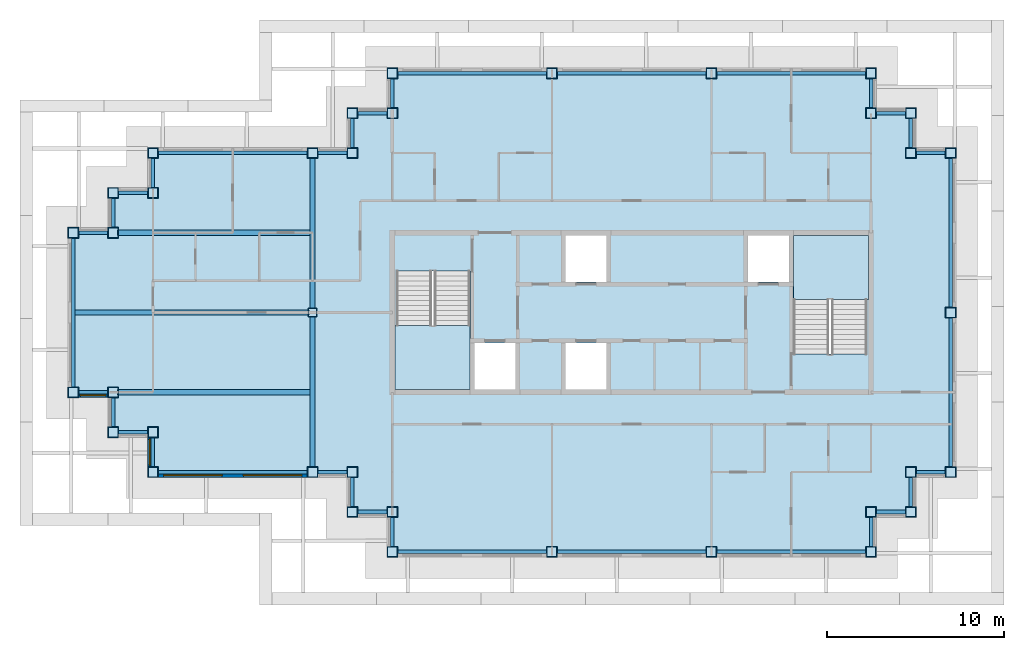
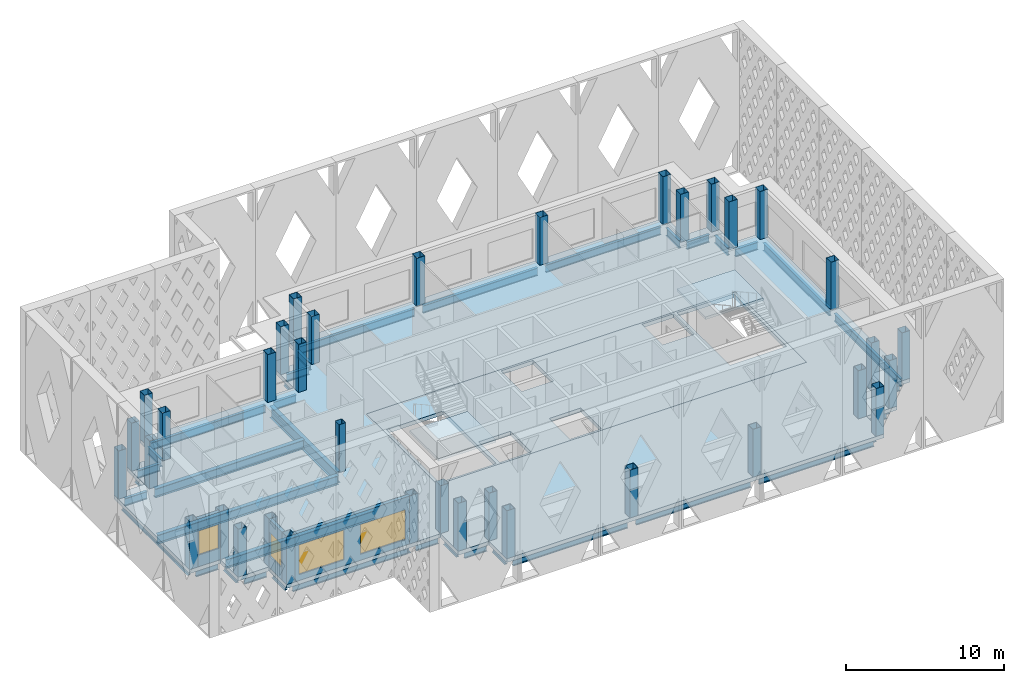
# One storey, part 1 of 13: 40 beams, 36 columns, 4 slabs, 4 windows, 3 walls, 4 openings, 2 elements without a shape of their own.
"""IFC4 building model written with IfcOpenShell, lengths in metres."""

import ifcopenshell
import ifcopenshell.guid

model = None  # the IFC model being written
_history = None  # IfcOwnerHistory: only IFC2X3 demands one
_inside = {}  # id of a spatial element -> (the spatial element, [elements in it])
_under = {}  # id of a project, library or spatial element -> (it, [spatial elements below it])
_declared = {}  # id of a project -> (the project, [libraries it declares])
_typed = {}  # id of a type object -> (the type object, [elements of that type])
_made_of = {}  # id of a material, layer set ... -> (it, [elements and type objects made of it])


def new_model(schema):
    """Start an empty IFC model of exactly this schema.

    Asked for "IFC4X3", IfcOpenShell would pick the latest addendum, in which some entities
    have other attributes; the version numbers below select the first issue.
    IFC2X3 requires an IfcOwnerHistory on every rooted entity: one is made here for all.
    """
    global model, _history
    if schema == "IFC4X3":
        model = ifcopenshell.file(schema_version=(4, 3, 0, 0))
    else:
        model = ifcopenshell.file(schema=schema)
    _inside.clear()
    _under.clear()
    _declared.clear()
    _typed.clear()
    _made_of.clear()
    _history = None
    if model.schema == "IFC2X3":
        org = make("IfcOrganization", Name="unknown")
        user = make(
            "IfcPersonAndOrganization",
            ThePerson=make("IfcPerson", FamilyName="unknown"),
            TheOrganization=org,
        )
        app = make(
            "IfcApplication",
            ApplicationDeveloper=org,
            Version="unknown",
            ApplicationFullName="unknown",
            ApplicationIdentifier="unknown",
        )
        _history = make(
            "IfcOwnerHistory",
            OwningUser=user,
            OwningApplication=app,
            ChangeAction="ADDED",
            CreationDate=0,
        )
    return model


def make(cls, **values):
    """One entity of the class cls with the attributes given. An attribute that is None is left unset."""
    return model.create_entity(
        cls, **{name: value for name, value in values.items() if value is not None}
    )


def rooted(cls, **values):
    """An entity with a GlobalId (a new one), such as an element, a storey or a relation."""
    return make(cls, GlobalId=ifcopenshell.guid.new(), OwnerHistory=_history, **values)


def si_unit(unit_type, name, prefix=None):
    """IfcSIUnit, for example si_unit("LENGTHUNIT", "METRE", prefix="MILLI")."""
    return make("IfcSIUnit", UnitType=unit_type, Prefix=prefix, Name=name)


def assignment(units):
    """IfcUnitAssignment: the units of a project."""
    return None if units is None else make("IfcUnitAssignment", Units=units)


def point(xyz):
    """IfcCartesianPoint."""
    return None if xyz is None else make("IfcCartesianPoint", Coordinates=xyz)


def direction(xyz):
    """IfcDirection."""
    return None if xyz is None else make("IfcDirection", DirectionRatios=xyz)


def frame(location, z_axis=None, x_axis=None):
    """IfcAxis2Placement3D, a coordinate frame: its origin and axes. An axis left out is left unset."""
    return make(
        "IfcAxis2Placement3D",
        Location=point(location),
        Axis=direction(z_axis),
        RefDirection=direction(x_axis),
    )


def frame_2d(location, x_axis=None):
    """IfcAxis2Placement2D, a coordinate frame in the plane: its origin and x axis."""
    return make(
        "IfcAxis2Placement2D", Location=point(location), RefDirection=direction(x_axis)
    )


def origin():
    """The frame at (0, 0, 0) with its axes left unset."""
    return frame((0.0, 0.0, 0.0))


def origin_2d():
    """The frame at (0, 0) in the plane with its x axis left unset."""
    return frame_2d((0.0, 0.0))


def place(relative_to, where):
    """IfcLocalPlacement: puts the frame where relative to a parent placement (None: the world)."""
    return make(
        "IfcLocalPlacement", PlacementRelTo=relative_to, RelativePlacement=where
    )


def context(
    kind, dimensions, precision=None, world=None, true_north=None, identifier=None
):
    """IfcGeometricRepresentationContext, for example the 3D "Model" context."""
    return make(
        "IfcGeometricRepresentationContext",
        ContextIdentifier=identifier,
        ContextType=kind,
        CoordinateSpaceDimension=dimensions,
        Precision=precision,
        WorldCoordinateSystem=world,
        TrueNorth=true_north,
    )


def subcontext(parent, identifier, kind, view, scale=None):
    """IfcGeometricRepresentationSubContext, for example "Body" below "Model"."""
    return make(
        "IfcGeometricRepresentationSubContext",
        ContextIdentifier=identifier,
        ContextType=kind,
        ParentContext=parent,
        TargetScale=scale,
        TargetView=view,
    )


def project(units=None, contexts=None):
    """IfcProject with its units and contexts."""
    return rooted(
        "IfcProject",
        Name="project",
        RepresentationContexts=contexts,
        UnitsInContext=assignment(units),
    )


def spatial(cls, under=None, at=None, **own):
    """A site, building, storey or space (cls), placed at a placement, below another one or the project."""
    s = rooted(cls, ObjectPlacement=at, **own)
    if under is not None:
        _under.setdefault(under.id(), (under, []))[1].append(s)
    return s


def polyline(points):
    """IfcPolyline through the points."""
    return make("IfcPolyline", Points=[point(p) for p in points])


def profile(cls, at=None, kind="AREA", **sizes):
    """A parametric profile (cls). Its sizes go by their IFC names, for example OverallWidth=200.0."""
    return make(cls, ProfileType=kind, Position=at, **sizes)


def rectangle(**sizes):
    """IfcRectangleProfileDef."""
    return profile("IfcRectangleProfileDef", **sizes)


def hollow_rectangle(**sizes):
    """IfcRectangleHollowProfileDef."""
    return profile("IfcRectangleHollowProfileDef", **sizes)


def i_section(**sizes):
    """IfcIShapeProfileDef."""
    return profile("IfcIShapeProfileDef", **sizes)


def outline(outer, holes=None, kind="AREA"):
    """IfcArbitraryClosedProfileDef: a profile drawn as a closed curve; with holes, ...WithVoids."""
    if holes is None:
        return make("IfcArbitraryClosedProfileDef", ProfileType=kind, OuterCurve=outer)
    return make(
        "IfcArbitraryProfileDefWithVoids",
        ProfileType=kind,
        OuterCurve=outer,
        InnerCurves=holes,
    )


def extrude(swept, where, along, depth):
    """IfcExtrudedAreaSolid: the profile swept, set in the frame where, extruded along a direction by depth."""
    return make(
        "IfcExtrudedAreaSolid",
        SweptArea=swept,
        Position=where,
        ExtrudedDirection=direction(along),
        Depth=depth,
    )


def shape(context_of_items, identifier, shape_type, items):
    """IfcShapeRepresentation: the items that make up one representation, for example the "Body"."""
    return make(
        "IfcShapeRepresentation",
        ContextOfItems=context_of_items,
        RepresentationIdentifier=identifier,
        RepresentationType=shape_type,
        Items=items,
    )


def material(Name=None, Category=None):
    """IfcMaterial."""
    return make("IfcMaterial", Name=Name, Category=Category)


def layer(
    of_material, thickness, ventilated=None, Name=None, Category=None, Priority=None
):
    """IfcMaterialLayer: one layer of a wall or slab, of a material (None: an air gap)."""
    return make(
        "IfcMaterialLayer",
        Material=of_material,
        LayerThickness=thickness,
        IsVentilated=ventilated,
        Name=Name,
        Category=Category,
        Priority=Priority,
    )


def layer_set(layers, Name=None):
    """IfcMaterialLayerSet."""
    return make("IfcMaterialLayerSet", MaterialLayers=layers, LayerSetName=Name)


def material_profile(
    of_material, cross_section, Name=None, Category=None, Priority=None
):
    """IfcMaterialProfile: a cross section and its material."""
    return make(
        "IfcMaterialProfile",
        Name=Name,
        Material=of_material,
        Profile=cross_section,
        Priority=Priority,
        Category=Category,
    )


def profile_set(profiles, Name=None, composite=None):
    """IfcMaterialProfileSet."""
    return make(
        "IfcMaterialProfileSet",
        Name=Name,
        MaterialProfiles=profiles,
        CompositeProfile=composite,
    )


def made_of(thing, what):
    """Note that an element or type object is made of a material, layer set ...; save() writes the relation."""
    if what is not None:
        _made_of.setdefault(what.id(), (what, []))[1].append(thing)
    return thing


def type_object(cls, material=None, **own):
    """A type object (cls), such as IfcWallType, which elements share."""
    return made_of(rooted(cls, **own), material)


def element(
    cls,
    number,
    at=None,
    inside=None,
    cuts=None,
    type_object=None,
    material=None,
    context=None,
    identifier="Body",
    shape_type=None,
    held_by="IfcProductDefinitionShape",
    body=None,
    shapes=None,
    **own,
):
    """One element of the class cls, such as IfcWall. Its Tag is "e" and its number.

    at: its placement. inside: the storey or other place that contains it. cuts: it is an
    opening in that element (IfcRelVoidsElement). A single representation is given by context,
    identifier, shape_type and body (its items); several are given by shapes. held_by: the class
    of the entity that holds the representations. save() writes the other relations.
    """
    e = rooted(cls, Tag="e%d" % number, ObjectPlacement=at, **own)
    if body is not None:
        shapes = [shape(context, identifier, shape_type, body)]
    if shapes is not None:
        e.Representation = make(held_by, Representations=shapes)
    if inside is not None:
        _inside.setdefault(inside.id(), (inside, []))[1].append(e)
    if cuts is not None:
        rooted(
            "IfcRelVoidsElement", RelatingBuildingElement=cuts, RelatedOpeningElement=e
        )
    if type_object is not None:
        _typed.setdefault(type_object.id(), (type_object, []))[1].append(e)
    return made_of(e, material)


def fill(opening, filler):
    """IfcRelFillsElement: the door or window that sits in an opening."""
    return rooted(
        "IfcRelFillsElement",
        RelatingOpeningElement=opening,
        RelatedBuildingElement=filler,
    )


def aggregate(whole, parts):
    """IfcRelAggregates: a whole, such as a stair, and the parts it consists of."""
    return rooted("IfcRelAggregates", RelatingObject=whole, RelatedObjects=parts)


def save(model, path):
    """Write the relations noted so far, then the file.

    IfcRelAggregates (storeys below a building ...), IfcRelContainedInSpatialStructure (elements
    in a storey), IfcRelDefinesByType, IfcRelAssociatesMaterial and IfcRelDeclares: one each for
    every whole, place, type object, material and project.
    """
    for whole, parts in _under.values():
        aggregate(whole, parts)
    for where, things in _inside.values():
        rooted(
            "IfcRelContainedInSpatialStructure",
            RelatedElements=things,
            RelatingStructure=where,
        )
    for kind, things in _typed.values():
        rooted("IfcRelDefinesByType", RelatedObjects=things, RelatingType=kind)
    for what, things in _made_of.values():
        rooted("IfcRelAssociatesMaterial", RelatedObjects=things, RelatingMaterial=what)
    for by, libraries in _declared.values():
        rooted("IfcRelDeclares", RelatingContext=by, RelatedDefinitions=libraries)
    model.write(path)


model = new_model("IFC4")

# Units and contexts
model_context = context("Model", 3, precision=1e-05, world=origin(), true_north=direction((0.0, 1.0)))
body_context = subcontext(model_context, "Body", "Model", "MODEL_VIEW")
ifc_project = project(units=[si_unit("LENGTHUNIT", "METRE"), si_unit("AREAUNIT", "SQUARE_METRE"), si_unit("VOLUMEUNIT", "CUBIC_METRE"), si_unit("PLANEANGLEUNIT", "RADIAN"), si_unit("MASSUNIT", "GRAM", prefix="KILO")], contexts=[model_context])

# Site, building, storey
site_placement = place(None, origin())
site = spatial("IfcSite", under=ifc_project, at=site_placement, CompositionType="ELEMENT")
building_placement = place(site_placement, origin())
building = spatial("IfcBuilding", under=site, at=building_placement, Name="Caravel Reach Hotel and Residences", CompositionType="ELEMENT")
storey_placement = place(building_placement, frame((0.0, 0.0, 267.5)))
storey = spatial("IfcBuildingStorey", under=building, at=storey_placement, Name="L68", CompositionType="ELEMENT", Elevation=267.5)

# Columns
ifc_material_1 = material(Name="Concrete-filled steel tube Q390B with Concrete C60 infill", Category="concrete")
ifc_material_profile_1 = material_profile(ifc_material_1, hollow_rectangle(XDim=0.5, YDim=0.5, WallThickness=0.01611328125, InnerFilletRadius=0.031982421875, OuterFilletRadius=0.048095703125, at=origin_2d()), Name="RHS 500x500x16")
ifc_profile_set_1 = profile_set([ifc_material_profile_1], Name="Concrete-filled steel tube Q390B with Concrete C60 infill")
column_type_1 = type_object("IfcColumnType", Name="CFT 500x500 Q390B C60", PredefinedType="COLUMN", material=ifc_profile_set_1)
column_placement = place(storey_placement, frame((13.5, 27.0, 0.0), z_axis=(0.0, 0.0, 1.0), x_axis=(1.0, 0.0, 0.0)))
element("IfcColumn", 1, at=column_placement, inside=storey, type_object=column_type_1, Name="C9 column", PredefinedType="COLUMN", context=body_context, shape_type="SweptSolid", body=[
    extrude(hollow_rectangle(XDim=0.5, YDim=0.5, WallThickness=0.01611328125, InnerFilletRadius=0.031982421875, OuterFilletRadius=0.048095703125, at=origin_2d()), origin(), (0.0, 0.0, 1.0), 3.699951171875),
])
ifc_material_2 = material(Name="Concrete-filled steel tube Q390B with Concrete C60 infill", Category="concrete")
ifc_material_profile_2 = material_profile(ifc_material_2, hollow_rectangle(XDim=0.60009765625, YDim=0.60009765625, WallThickness=0.02001953125, at=origin_2d()), Name="RHS 600x600x20")
ifc_profile_set_2 = profile_set([ifc_material_profile_2], Name="Concrete-filled steel tube Q390B with Concrete C60 infill")
column_type_2 = type_object("IfcColumnType", Name="CFT 600x600 Q390B C60", PredefinedType="COLUMN", material=ifc_profile_set_2)
for number, where, z_axis, x_axis, name in (
    (2, (15.75, 18.0, 0.0), (0.0, 0.0, 1.0), (1.0, 0.0, 0.0), "C8 column"),
    (3, (15.75, 15.75, 0.0), (0.0, 0.0, 1.0), (1.0, 0.0, 0.0), "C8 column"),
    (4, (18.0, 15.75, 0.0), (0.0, 0.0, 1.0), (1.0, 0.0, 0.0), "C8 column"),
    (5, (18.0, 13.5, 0.0), (0.0, 0.0, 1.0), (1.0, 0.0, 0.0), "C8 column"),
    (6, (27.0, 13.5, 0.0), (0.0, 0.0, 1.0), (1.0, 0.0, 0.0), "C8 column"),
    (7, (36.0, 13.5, 0.0), (0.0, 0.0, 1.0), (1.0, 0.0, 0.0), "C8 column"),
    (8, (45.0, 13.5, 0.0), (0.0, 0.0, 1.0), (1.0, 0.0, 0.0), "C8 column"),
    (9, (45.0, 15.75, 0.0), (0.0, 0.0, 1.0), (1.0, 0.0, 0.0), "C8 column"),
    (10, (47.25, 15.75, 0.0), (0.0, 0.0, 1.0), (1.0, 0.0, 0.0), "C8 column"),
    (11, (47.25, 18.0, 0.0), (0.0, 0.0, 1.0), (1.0, 0.0, 0.0), "C8 column"),
    (12, (49.5, 18.0, 0.0), (0.0, 0.0, 1.0), (1.0, 0.0, 0.0), "C8 column"),
    (13, (49.5, 27.0, 0.0), (0.0, 0.0, 1.0), (1.0, 0.0, 0.0), "C8 column"),
    (14, (49.5, 36.0, 0.0), (0.0, 0.0, 1.0), (1.0, 0.0, 0.0), "C8 column"),
    (15, (47.25, 36.0, 0.0), (0.0, 0.0, 1.0), (1.0, 0.0, 0.0), "C8 column"),
    (16, (47.25, 38.25, 0.0), (0.0, 0.0, 1.0), (1.0, 0.0, 0.0), "C8 column"),
    (17, (45.0, 38.25, 0.0), (0.0, 0.0, 1.0), (1.0, 0.0, 0.0), "C8 column"),
    (18, (45.0, 40.5, 0.0), (0.0, 0.0, 1.0), (1.0, 0.0, 0.0), "C8 column"),
    (19, (36.0, 40.5, 0.0), (0.0, 0.0, 1.0), (1.0, 0.0, 0.0), "C8 column"),
    (20, (27.0, 40.5, 0.0), (0.0, 0.0, 1.0), (1.0, 0.0, 0.0), "C8 column"),
    (21, (18.0, 40.5, 0.0), (0.0, 0.0, 1.0), (1.0, 0.0, 0.0), "C8 column"),
    (22, (18.0, 38.25, 0.0), (0.0, 0.0, 1.0), (1.0, 0.0, 0.0), "C8 column"),
    (23, (15.75, 38.25, 0.0), (0.0, 0.0, 1.0), (1.0, 0.0, 0.0), "C8 column"),
    (24, (15.75, 36.0, 0.0), (0.0, 0.0, 1.0), (1.0, 0.0, 0.0), "C8 column"),
    (25, (13.5, 36.0, 0.0), (0.0, 0.0, 1.0), (1.0, 0.0, 0.0), "C8 column"),
    (26, (4.5, 36.0, 0.0), (0.0, 0.0, 1.0), (1.0, 0.0, 0.0), "C8 column"),
    (27, (4.5, 33.75, 0.0), (0.0, 0.0, 1.0), (1.0, 0.0, 0.0), "C8 column"),
    (28, (2.25, 33.75, 0.0), (0.0, 0.0, 1.0), (1.0, 0.0, 0.0), "C8 column"),
    (29, (2.25, 31.5, 0.0), (0.0, 0.0, 1.0), (1.0, 0.0, 0.0), "C8 column"),
    (30, (0.0, 31.5, 0.0), (0.0, 0.0, 1.0), (1.0, 0.0, 0.0), "C8 column"),
    (31, (0.0, 22.5, 0.0), (0.0, 0.0, 1.0), (1.0, 0.0, 0.0), "C8 column"),
    (32, (2.25, 22.5, 0.0), (0.0, 0.0, 1.0), (1.0, 0.0, 0.0), "C8 column"),
    (33, (2.25, 20.25, 0.0), (0.0, 0.0, 1.0), (1.0, 0.0, 0.0), "C8 column"),
    (34, (4.5, 20.25, 0.0), (0.0, 0.0, 1.0), (1.0, 0.0, 0.0), "C8 column"),
    (35, (4.5, 18.0, 0.0), (0.0, 0.0, 1.0), (1.0, 0.0, 0.0), "C8 column"),
    (36, (13.5, 18.0, 0.0), (0.0, 0.0, 1.0), (1.0, 0.0, 0.0), "C8 column"),
):
    element("IfcColumn", number, at=place(storey_placement, frame(where, z_axis=z_axis, x_axis=x_axis)), inside=storey, type_object=column_type_2, Name=name, PredefinedType="COLUMN", context=body_context, shape_type="SweptSolid", body=[
        extrude(hollow_rectangle(XDim=0.60009765625, YDim=0.60009765625, WallThickness=0.02001953125, at=origin_2d()), origin(), (0.0, 0.0, 1.0), 3.699951171875),
    ])

# Beams
ifc_material_3 = material(Name="Structural steel Q355B", Category="steel")
ifc_material_profile_3 = material_profile(ifc_material_3, i_section(OverallWidth=0.300048828125, OverallDepth=0.699951171875, WebThickness=0.012939453125, FlangeThickness=0.02392578125, FilletRadius=0.01806640625, at=origin_2d()), Name="HN 700x300x13x24")
ifc_profile_set_3 = profile_set([ifc_material_profile_3], Name="Structural steel Q355B")
beam_type_1 = type_object("IfcBeamType", Name="Beam HN 700x300x13x24", PredefinedType="BEAM", material=ifc_profile_set_3)
beam_1_placement = place(storey_placement, frame((13.39990234375, 22.5, -0.64990234375), z_axis=(-1.0, 0.0, 0.0), x_axis=(0.0, -1.0, 0.0)))
element("IfcBeam", 37, at=beam_1_placement, inside=storey, type_object=beam_type_1, Name="B2 HN 700x300x13x24", PredefinedType="BEAM", context=body_context, shape_type="SweptSolid", body=[
    extrude(i_section(OverallWidth=0.300048828125, OverallDepth=0.699951171875, WebThickness=0.012939453125, FlangeThickness=0.02392578125, FilletRadius=0.01806640625, at=origin_2d()), origin(), (0.0, 0.0, 1.0), 10.89990234375),
])
beam_2_placement = place(storey_placement, frame((13.300048828125, 27.0, -0.64990234375), z_axis=(-1.0, 0.0, 0.0), x_axis=(0.0, -1.0, 0.0)))
element("IfcBeam", 38, at=beam_2_placement, inside=storey, type_object=beam_type_1, Name="B2 HN 700x300x13x24", PredefinedType="BEAM", context=body_context, shape_type="SweptSolid", body=[
    extrude(i_section(OverallWidth=0.300048828125, OverallDepth=0.699951171875, WebThickness=0.012939453125, FlangeThickness=0.02392578125, FilletRadius=0.01806640625, at=origin_2d()), origin(), (0.0, 0.0, 1.0), 13.199951171875),
])
beam_3_placement = place(storey_placement, frame((13.39990234375, 31.5, -0.64990234375), z_axis=(-1.0, 0.0, 0.0), x_axis=(0.0, -1.0, 0.0)))
element("IfcBeam", 39, at=beam_3_placement, inside=storey, type_object=beam_type_1, Name="B2 HN 700x300x13x24", PredefinedType="BEAM", context=body_context, shape_type="SweptSolid", body=[
    extrude(i_section(OverallWidth=0.300048828125, OverallDepth=0.699951171875, WebThickness=0.012939453125, FlangeThickness=0.02392578125, FilletRadius=0.01806640625, at=origin_2d()), origin(), (0.0, 0.0, 1.0), 10.89990234375),
])
ifc_material_4 = material(Name="Structural steel Q355B", Category="steel")
ifc_material_profile_4 = material_profile(ifc_material_4, i_section(OverallWidth=0.300048828125, OverallDepth=0.89990234375, WebThickness=0.01611328125, FlangeThickness=0.028076171875, FilletRadius=0.01806640625, at=origin_2d()), Name="HN 900x300x16x28")
ifc_profile_set_4 = profile_set([ifc_material_profile_4], Name="Structural steel Q355B")
beam_type_2 = type_object("IfcBeamType", Name="Beam HN 900x300x16x28", PredefinedType="BEAM", material=ifc_profile_set_4)
for number, where, z_axis, x_axis, name in (
    (40, (13.5, 18.300048828125, -0.75), (0.0, 1.0, 0.0), (-1.0, 0.0, 0.0), "B3 HN 900x300x16x28"),
    (41, (13.5, 27.25, -0.75), (0.0, 1.0, 0.0), (-1.0, 0.0, 0.0), "B3 HN 900x300x16x28"),
):
    element("IfcBeam", number, at=place(storey_placement, frame(where, z_axis=z_axis, x_axis=x_axis)), inside=storey, type_object=beam_type_2, Name=name, PredefinedType="BEAM", context=body_context, shape_type="SweptSolid", body=[
        extrude(i_section(OverallWidth=0.300048828125, OverallDepth=0.89990234375, WebThickness=0.01611328125, FlangeThickness=0.028076171875, FilletRadius=0.01806640625, at=origin_2d()), origin(), (0.0, 0.0, 1.0), 8.449951171875),
    ])
ifc_material_5 = material(Name="Structural steel Q355B", Category="steel")
ifc_material_profile_5 = material_profile(ifc_material_5, i_section(OverallWidth=0.199951171875, OverallDepth=0.60009765625, WebThickness=0.010986328125, FlangeThickness=0.01708984375, FilletRadius=0.012939453125, at=origin_2d()), Name="HN 600x200x11x17")
ifc_profile_set_5 = profile_set([ifc_material_profile_5], Name="Structural steel Q355B")
beam_type_3 = type_object("IfcBeamType", Name="Spandrel beam HN 600x200x11x17", PredefinedType="SPANDREL", material=ifc_profile_set_5)
for number, where, z_axis, x_axis, name in (
    (42, (15.75, 17.699951171875, -0.60009765625), (0.0, -1.0, 0.0), (1.0, 0.0, 0.0), "SP1 HN 600x200x11x17"),
    (43, (16.050048828125, 15.75, -0.60009765625), (1.0, 0.0, 0.0), (0.0, 1.0, 0.0), "SP1 HN 600x200x11x17"),
    (44, (18.0, 15.449951171875, -0.60009765625), (0.0, -1.0, 0.0), (1.0, 0.0, 0.0), "SP1 HN 600x200x11x17"),
):
    element("IfcBeam", number, at=place(storey_placement, frame(where, z_axis=z_axis, x_axis=x_axis)), inside=storey, type_object=beam_type_3, Name=name, PredefinedType="SPANDREL", context=body_context, shape_type="SweptSolid", body=[
        extrude(i_section(OverallWidth=0.199951171875, OverallDepth=0.60009765625, WebThickness=0.010986328125, FlangeThickness=0.01708984375, FilletRadius=0.012939453125, at=origin_2d()), origin(), (0.0, 0.0, 1.0), 1.64990234375),
    ])
for number, where, z_axis, x_axis, name in (
    (45, (18.300048828125, 13.5, -0.60009765625), (1.0, 0.0, 0.0), (0.0, 1.0, 0.0), "SP1 HN 600x200x11x17"),
    (46, (27.300048828125, 13.5, -0.60009765625), (1.0, 0.0, 0.0), (0.0, 1.0, 0.0), "SP1 HN 600x200x11x17"),
    (47, (36.300048828125, 13.5, -0.60009765625), (1.0, 0.0, 0.0), (0.0, 1.0, 0.0), "SP1 HN 600x200x11x17"),
):
    element("IfcBeam", number, at=place(storey_placement, frame(where, z_axis=z_axis, x_axis=x_axis)), inside=storey, type_object=beam_type_3, Name=name, PredefinedType="SPANDREL", context=body_context, shape_type="SweptSolid", body=[
        extrude(i_section(OverallWidth=0.199951171875, OverallDepth=0.60009765625, WebThickness=0.010986328125, FlangeThickness=0.01708984375, FilletRadius=0.012939453125, at=origin_2d()), origin(), (0.0, 0.0, 1.0), 8.39990234375),
    ])
for number, where, z_axis, x_axis, name in (
    (48, (45.0, 13.800048828125, -0.60009765625), (0.0, 1.0, 0.0), (-1.0, 0.0, 0.0), "SP1 HN 600x200x11x17"),
    (49, (45.300048828125, 15.75, -0.60009765625), (1.0, 0.0, 0.0), (0.0, 1.0, 0.0), "SP1 HN 600x200x11x17"),
    (50, (47.25, 16.050048828125, -0.60009765625), (0.0, 1.0, 0.0), (-1.0, 0.0, 0.0), "SP1 HN 600x200x11x17"),
    (51, (47.550048828125, 18.0, -0.60009765625), (1.0, 0.0, 0.0), (0.0, 1.0, 0.0), "SP1 HN 600x200x11x17"),
):
    element("IfcBeam", number, at=place(storey_placement, frame(where, z_axis=z_axis, x_axis=x_axis)), inside=storey, type_object=beam_type_3, Name=name, PredefinedType="SPANDREL", context=body_context, shape_type="SweptSolid", body=[
        extrude(i_section(OverallWidth=0.199951171875, OverallDepth=0.60009765625, WebThickness=0.010986328125, FlangeThickness=0.01708984375, FilletRadius=0.012939453125, at=origin_2d()), origin(), (0.0, 0.0, 1.0), 1.64990234375),
    ])
for number, where, z_axis, x_axis, name in (
    (52, (49.5, 18.300048828125, -0.60009765625), (0.0, 1.0, 0.0), (-1.0, 0.0, 0.0), "SP1 HN 600x200x11x17"),
    (53, (49.5, 27.300048828125, -0.60009765625), (0.0, 1.0, 0.0), (-1.0, 0.0, 0.0), "SP1 HN 600x200x11x17"),
):
    element("IfcBeam", number, at=place(storey_placement, frame(where, z_axis=z_axis, x_axis=x_axis)), inside=storey, type_object=beam_type_3, Name=name, PredefinedType="SPANDREL", context=body_context, shape_type="SweptSolid", body=[
        extrude(i_section(OverallWidth=0.199951171875, OverallDepth=0.60009765625, WebThickness=0.010986328125, FlangeThickness=0.01708984375, FilletRadius=0.012939453125, at=origin_2d()), origin(), (0.0, 0.0, 1.0), 8.39990234375),
    ])
for number, where, z_axis, x_axis, name in (
    (54, (49.199951171875, 36.0, -0.60009765625), (-1.0, 0.0, 0.0), (0.0, -1.0, 0.0), "SP1 HN 600x200x11x17"),
    (55, (47.25, 36.300048828125, -0.60009765625), (0.0, 1.0, 0.0), (-1.0, 0.0, 0.0), "SP1 HN 600x200x11x17"),
    (56, (46.949951171875, 38.25, -0.60009765625), (-1.0, 0.0, 0.0), (0.0, -1.0, 0.0), "SP1 HN 600x200x11x17"),
    (57, (45.0, 38.550048828125, -0.60009765625), (0.0, 1.0, 0.0), (-1.0, 0.0, 0.0), "SP1 HN 600x200x11x17"),
):
    element("IfcBeam", number, at=place(storey_placement, frame(where, z_axis=z_axis, x_axis=x_axis)), inside=storey, type_object=beam_type_3, Name=name, PredefinedType="SPANDREL", context=body_context, shape_type="SweptSolid", body=[
        extrude(i_section(OverallWidth=0.199951171875, OverallDepth=0.60009765625, WebThickness=0.010986328125, FlangeThickness=0.01708984375, FilletRadius=0.012939453125, at=origin_2d()), origin(), (0.0, 0.0, 1.0), 1.64990234375),
    ])
for number, where, z_axis, x_axis, name in (
    (58, (44.699951171875, 40.5, -0.60009765625), (-1.0, 0.0, 0.0), (0.0, -1.0, 0.0), "SP1 HN 600x200x11x17"),
    (59, (35.699951171875, 40.5, -0.60009765625), (-1.0, 0.0, 0.0), (0.0, -1.0, 0.0), "SP1 HN 600x200x11x17"),
    (60, (26.699951171875, 40.5, -0.60009765625), (-1.0, 0.0, 0.0), (0.0, -1.0, 0.0), "SP1 HN 600x200x11x17"),
):
    element("IfcBeam", number, at=place(storey_placement, frame(where, z_axis=z_axis, x_axis=x_axis)), inside=storey, type_object=beam_type_3, Name=name, PredefinedType="SPANDREL", context=body_context, shape_type="SweptSolid", body=[
        extrude(i_section(OverallWidth=0.199951171875, OverallDepth=0.60009765625, WebThickness=0.010986328125, FlangeThickness=0.01708984375, FilletRadius=0.012939453125, at=origin_2d()), origin(), (0.0, 0.0, 1.0), 8.39990234375),
    ])
for number, where, z_axis, x_axis, name in (
    (61, (18.0, 40.199951171875, -0.60009765625), (0.0, -1.0, 0.0), (1.0, 0.0, 0.0), "SP1 HN 600x200x11x17"),
    (62, (17.699951171875, 38.25, -0.60009765625), (-1.0, 0.0, 0.0), (0.0, -1.0, 0.0), "SP1 HN 600x200x11x17"),
    (63, (15.75, 37.949951171875, -0.60009765625), (0.0, -1.0, 0.0), (1.0, 0.0, 0.0), "SP1 HN 600x200x11x17"),
    (64, (15.449951171875, 36.0, -0.60009765625), (-1.0, 0.0, 0.0), (0.0, -1.0, 0.0), "SP1 HN 600x200x11x17"),
):
    element("IfcBeam", number, at=place(storey_placement, frame(where, z_axis=z_axis, x_axis=x_axis)), inside=storey, type_object=beam_type_3, Name=name, PredefinedType="SPANDREL", context=body_context, shape_type="SweptSolid", body=[
        extrude(i_section(OverallWidth=0.199951171875, OverallDepth=0.60009765625, WebThickness=0.010986328125, FlangeThickness=0.01708984375, FilletRadius=0.012939453125, at=origin_2d()), origin(), (0.0, 0.0, 1.0), 1.64990234375),
    ])
beam_4_placement = place(storey_placement, frame((13.199951171875, 36.0, -0.60009765625), z_axis=(-1.0, 0.0, 0.0), x_axis=(0.0, -1.0, 0.0)))
element("IfcBeam", 65, at=beam_4_placement, inside=storey, type_object=beam_type_3, Name="SP1 HN 600x200x11x17", PredefinedType="SPANDREL", context=body_context, shape_type="SweptSolid", body=[
    extrude(i_section(OverallWidth=0.199951171875, OverallDepth=0.60009765625, WebThickness=0.010986328125, FlangeThickness=0.01708984375, FilletRadius=0.012939453125, at=origin_2d()), origin(), (0.0, 0.0, 1.0), 8.39990234375),
])
for number, where, z_axis, x_axis, name in (
    (66, (4.5, 35.699951171875, -0.60009765625), (0.0, -1.0, 0.0), (1.0, 0.0, 0.0), "SP1 HN 600x200x11x17"),
    (67, (4.199951171875, 33.75, -0.60009765625), (-1.0, 0.0, 0.0), (0.0, -1.0, 0.0), "SP1 HN 600x200x11x17"),
    (68, (2.25, 33.449951171875, -0.60009765625), (0.0, -1.0, 0.0), (1.0, 0.0, 0.0), "SP1 HN 600x200x11x17"),
    (69, (1.949951171875, 31.5, -0.60009765625), (-1.0, 0.0, 0.0), (0.0, -1.0, 0.0), "SP1 HN 600x200x11x17"),
):
    element("IfcBeam", number, at=place(storey_placement, frame(where, z_axis=z_axis, x_axis=x_axis)), inside=storey, type_object=beam_type_3, Name=name, PredefinedType="SPANDREL", context=body_context, shape_type="SweptSolid", body=[
        extrude(i_section(OverallWidth=0.199951171875, OverallDepth=0.60009765625, WebThickness=0.010986328125, FlangeThickness=0.01708984375, FilletRadius=0.012939453125, at=origin_2d()), origin(), (0.0, 0.0, 1.0), 1.64990234375),
    ])
beam_5_placement = place(storey_placement, frame((0.0, 31.199951171875, -0.60009765625), z_axis=(0.0, -1.0, 0.0), x_axis=(1.0, 0.0, 0.0)))
element("IfcBeam", 70, at=beam_5_placement, inside=storey, type_object=beam_type_3, Name="SP1 HN 600x200x11x17", PredefinedType="SPANDREL", context=body_context, shape_type="SweptSolid", body=[
    extrude(i_section(OverallWidth=0.199951171875, OverallDepth=0.60009765625, WebThickness=0.010986328125, FlangeThickness=0.01708984375, FilletRadius=0.012939453125, at=origin_2d()), origin(), (0.0, 0.0, 1.0), 8.39990234375),
])
for number, where, z_axis, x_axis, name in (
    (71, (0.300048828125, 22.5, -0.60009765625), (1.0, 0.0, 0.0), (0.0, 1.0, 0.0), "SP1 HN 600x200x11x17"),
    (72, (2.25, 22.199951171875, -0.60009765625), (0.0, -1.0, 0.0), (1.0, 0.0, 0.0), "SP1 HN 600x200x11x17"),
    (73, (2.550048828125, 20.25, -0.60009765625), (1.0, 0.0, 0.0), (0.0, 1.0, 0.0), "SP1 HN 600x200x11x17"),
    (74, (4.5, 19.949951171875, -0.60009765625), (0.0, -1.0, 0.0), (1.0, 0.0, 0.0), "SP1 HN 600x200x11x17"),
):
    element("IfcBeam", number, at=place(storey_placement, frame(where, z_axis=z_axis, x_axis=x_axis)), inside=storey, type_object=beam_type_3, Name=name, PredefinedType="SPANDREL", context=body_context, shape_type="SweptSolid", body=[
        extrude(i_section(OverallWidth=0.199951171875, OverallDepth=0.60009765625, WebThickness=0.010986328125, FlangeThickness=0.01708984375, FilletRadius=0.012939453125, at=origin_2d()), origin(), (0.0, 0.0, 1.0), 1.64990234375),
    ])
beam_6_placement = place(storey_placement, frame((4.800048828125, 18.0, -0.60009765625), z_axis=(1.0, 0.0, 0.0), x_axis=(0.0, 1.0, 0.0)))
element("IfcBeam", 75, at=beam_6_placement, inside=storey, type_object=beam_type_3, Name="SP1 HN 600x200x11x17", PredefinedType="SPANDREL", context=body_context, shape_type="SweptSolid", body=[
    extrude(i_section(OverallWidth=0.199951171875, OverallDepth=0.60009765625, WebThickness=0.010986328125, FlangeThickness=0.01708984375, FilletRadius=0.012939453125, at=origin_2d()), origin(), (0.0, 0.0, 1.0), 8.39990234375),
])
beam_7_placement = place(storey_placement, frame((13.800048828125, 18.0, -0.60009765625), z_axis=(1.0, 0.0, 0.0), x_axis=(0.0, 1.0, 0.0)))
element("IfcBeam", 76, at=beam_7_placement, inside=storey, type_object=beam_type_3, Name="SP1 HN 600x200x11x17", PredefinedType="SPANDREL", context=body_context, shape_type="SweptSolid", body=[
    extrude(i_section(OverallWidth=0.199951171875, OverallDepth=0.60009765625, WebThickness=0.010986328125, FlangeThickness=0.01708984375, FilletRadius=0.012939453125, at=origin_2d()), origin(), (0.0, 0.0, 1.0), 1.64990234375),
])

# Slab
ifc_material_6 = material(Name="Concrete C40", Category="concrete")
ifc_layer_1 = layer(ifc_material_6, 0.300048828125)
ifc_layer_set_1 = layer_set([ifc_layer_1], Name="Core floor slab 300 mm")
slab_type_1 = type_object("IfcSlabType", Name="Core floor slab 300 mm", PredefinedType="FLOOR", material=ifc_layer_set_1)
slab_1_placement = place(storey_placement, frame((0.0, 0.0, -0.300048828125)))
element("IfcSlab", 77, at=slab_1_placement, inside=storey, type_object=slab_type_1, Name="L68 core floor", PredefinedType="FLOOR", context=body_context, shape_type="SweptSolid", body=[
    extrude(outline(polyline([(18.0, 31.5), (45.0, 31.5), (45.0, 22.5), (18.0, 22.5), (18.0, 31.5)]), holes=[polyline([(22.625, 22.64990234375), (24.9462890625, 22.64990234375), (24.9462890625, 25.27490234375), (22.625, 25.27490234375), (22.625, 22.64990234375)]), polyline([(27.767822265625, 25.27490234375), (27.767822265625, 22.64990234375), (30.08935546875, 22.64990234375), (30.08935546875, 25.27490234375), (27.767822265625, 25.27490234375)]), polyline([(22.375, 22.64990234375), (22.375, 29.35009765625), (18.22509765625, 29.35009765625), (18.22509765625, 22.64990234375), (22.375, 22.64990234375)]), polyline([(40.625, 24.64990234375), (44.77490234375, 24.64990234375), (44.77490234375, 31.35009765625), (40.625, 31.35009765625), (40.625, 24.64990234375)]), polyline([(27.767822265625, 31.35009765625), (27.767822265625, 28.72509765625), (30.08935546875, 28.72509765625), (30.08935546875, 31.35009765625), (27.767822265625, 31.35009765625)]), polyline([(38.0537109375, 31.35009765625), (38.0537109375, 28.72509765625), (40.375, 28.72509765625), (40.375, 31.35009765625), (38.0537109375, 31.35009765625)])]), origin(), (0.0, 0.0, 1.0), 0.300048828125),
])

# Stair, slab
ifc_material_7 = material(Name="Concrete C40", Category="concrete")
stair_type = type_object("IfcStairType", Name="Core stair", PredefinedType="HALF_TURN_STAIR", material=ifc_material_7)
stair_1_placement = place(storey_placement, origin())
stair_1 = element("IfcStair", 78, at=stair_1_placement, inside=storey, type_object=stair_type, Name="L68 Exit stair A", PredefinedType="HALF_TURN_STAIR")
ifc_material_8 = material(Name="Concrete C40", Category="concrete")
ifc_layer_2 = layer(ifc_material_8, 0.199951171875)
ifc_layer_set_2 = layer_set([ifc_layer_2], Name="Core stair landing")
slab_type_2 = type_object("IfcSlabType", Name="Core stair landing", PredefinedType="LANDING", material=ifc_layer_set_2)
slab_2_placement = place(storey_placement, frame((0.0, 0.0, 1.64990234375)))
slab_2 = element("IfcSlab", 79, at=slab_2_placement, type_object=slab_type_2, Name="ST-A landing 1", PredefinedType="LANDING", context=body_context, shape_type="SweptSolid", body=[
    extrude(outline(polyline([(18.14990234375, 26.27001953125), (18.14990234375, 22.64990234375), (22.375, 22.64990234375), (22.375, 26.27001953125), (18.14990234375, 26.27001953125)])), origin(), (0.0, 0.0, 1.0), 0.2001953125),
])
aggregate(stair_1, [slab_2])

stair_2_placement = place(storey_placement, origin())
stair_2 = element("IfcStair", 80, at=stair_2_placement, inside=storey, type_object=stair_type, Name="L68 Exit stair B", PredefinedType="HALF_TURN_STAIR")
slab_3_placement = place(storey_placement, frame((0.0, 0.0, 1.64990234375)))
slab_3 = element("IfcSlab", 81, at=slab_3_placement, type_object=slab_type_2, Name="ST-B landing 1", PredefinedType="LANDING", context=body_context, shape_type="SweptSolid", body=[
    extrude(outline(polyline([(44.85009765625, 27.72998046875), (44.85009765625, 31.35009765625), (40.625, 31.35009765625), (40.625, 27.72998046875), (44.85009765625, 27.72998046875)])), origin(), (0.0, 0.0, 1.0), 0.2001953125),
])
aggregate(stair_2, [slab_3])

# Slab
ifc_material_9 = material(Name="Concrete C40 post-tensioned", Category="concrete")
ifc_layer_3 = layer(ifc_material_9, 0.300048828125)
ifc_layer_set_3 = layer_set([ifc_layer_3], Name="Floor slab 300")
slab_type_3 = type_object("IfcSlabType", Name="Floor slab 300", PredefinedType="FLOOR", material=ifc_layer_set_3)
slab_4_placement = place(storey_placement, frame((0.0, 0.0, -0.300048828125)))
element("IfcSlab", 82, at=slab_4_placement, inside=storey, type_object=slab_type_3, Name="S2 slab L68", PredefinedType="FLOOR", context=body_context, shape_type="SweptSolid", body=[
    extrude(outline(polyline([(4.199951171875, 19.949951171875), (1.949951171875, 19.949951171875), (1.949951171875, 22.199951171875), (-0.300048828125, 22.199951171875), (-0.300048828125, 31.800048828125), (1.949951171875, 31.800048828125), (1.949951171875, 34.050048828125), (4.199951171875, 34.050048828125), (4.199951171875, 36.300048828125), (15.449951171875, 36.300048828125), (15.449951171875, 38.550048828125), (17.699951171875, 38.550048828125), (17.699951171875, 40.800048828125), (45.300048828125, 40.800048828125), (45.300048828125, 38.550048828125), (47.550048828125, 38.550048828125), (47.550048828125, 36.300048828125), (49.800048828125, 36.300048828125), (49.800048828125, 17.699951171875), (47.550048828125, 17.699951171875), (47.550048828125, 15.449951171875), (45.300048828125, 15.449951171875), (45.300048828125, 13.199951171875), (17.699951171875, 13.199951171875), (17.699951171875, 15.449951171875), (15.449951171875, 15.449951171875), (15.449951171875, 17.699951171875), (4.199951171875, 17.699951171875), (4.199951171875, 19.949951171875)]), holes=[polyline([(45.0, 31.5), (18.0, 31.5), (18.0, 22.5), (45.0, 22.5), (45.0, 31.5)])]), origin(), (0.0, 0.0, 1.0), 0.300048828125),
])

# Wall, opening, window
ifc_material_10 = material(Name="Insulated rainscreen wall, aluminium cladding", Category="aluminium")
ifc_layer_4 = layer(ifc_material_10, 0.25)
ifc_layer_set_4 = layer_set([ifc_layer_4], Name="EW1 Tower rainscreen wall")
wall_type = type_object("IfcWallType", Name="EW1 Tower rainscreen wall", PredefinedType="SOLIDWALL", material=ifc_layer_set_4)
wall_1_placement = place(storey_placement, frame((0.300048828125, 22.324951171875, 0.0), z_axis=(0.0, 0.0, 1.0), x_axis=(1.0, 0.0, 0.0)))
wall_1 = element("IfcWall", 83, at=wall_1_placement, inside=storey, type_object=wall_type, Name="External wall L68 S24.1", PredefinedType="SOLIDWALL", context=body_context, shape_type="SweptSolid", body=[
    extrude(rectangle(XDim=1.64990234375, YDim=0.25, at=frame_2d((0.824951171875, 0.0))), origin(), (0.0, 0.0, 1.0), 3.699951171875),
])
opening_1_placement = place(wall_1_placement, frame((0.10009765625, 0.0, 0.89990234375)))
opening_1 = element("IfcOpeningElement", 84, at=opening_1_placement, cuts=wall_1, Name="Opening WN25", PredefinedType="OPENING", context=body_context, shape_type="SweptSolid", body=[
    extrude(rectangle(XDim=1.449951171875, YDim=1.85009765625, at=frame_2d((0.72509765625, 0.925048828125))), frame((0.0, 0.135009765625, 0.0), z_axis=(0.0, -1.0, 0.0), x_axis=(1.0, 0.0, 0.0)), (0.0, 0.0, 1.0), 0.27001953125),
])
ifc_material_11 = material(Name="Dark low-e glazing in black aluminium frame", Category="aluminium")
window_type_1 = type_object("IfcWindowType", Name="Residence bedroom window 1450 x 1850", PartitioningType="SINGLE_PANEL", PredefinedType="WINDOW", material=ifc_material_11)
window_1_placement = place(opening_1_placement, origin())
window_1 = element("IfcWindow", 85, at=window_1_placement, inside=storey, type_object=window_type_1, Name="Window L68 S24.1.1", OverallHeight=1.85009765625, OverallWidth=1.449951171875, PartitioningType="SINGLE_PANEL", PredefinedType="WINDOW", context=body_context, shape_type="SweptSolid", body=[
    extrude(rectangle(XDim=1.449951171875, YDim=1.85009765625, at=frame_2d((0.72509765625, 0.925048828125))), frame((0.0, 0.030029296875, 0.0), z_axis=(0.0, -1.0, 0.0), x_axis=(1.0, 0.0, 0.0)), (0.0, 0.0, 1.0), 0.06005859375),
])
fill(opening_1, window_1)

wall_2_placement = place(storey_placement, frame((4.324951171875, 19.949951171875, 0.0), z_axis=(0.0, 0.0, 1.0), x_axis=(0.0, -1.0, 0.0)))
wall_2 = element("IfcWall", 86, at=wall_2_placement, inside=storey, type_object=wall_type, Name="External wall L68 W27.1", PredefinedType="SOLIDWALL", context=body_context, shape_type="SweptSolid", body=[
    extrude(rectangle(XDim=1.64990234375, YDim=0.25, at=frame_2d((0.824951171875, 0.0))), origin(), (0.0, 0.0, 1.0), 3.699951171875),
])
opening_2_placement = place(wall_2_placement, frame((0.10009765625, 0.0, 0.89990234375)))
opening_2 = element("IfcOpeningElement", 87, at=opening_2_placement, cuts=wall_2, Name="Opening WN25", PredefinedType="OPENING", context=body_context, shape_type="SweptSolid", body=[
    extrude(rectangle(XDim=1.449951171875, YDim=1.85009765625, at=frame_2d((0.72509765625, 0.925048828125))), frame((0.0, 0.135009765625, 0.0), z_axis=(0.0, -1.0, 0.0), x_axis=(1.0, 0.0, 0.0)), (0.0, 0.0, 1.0), 0.27001953125),
])
window_2_placement = place(opening_2_placement, origin())
window_2 = element("IfcWindow", 88, at=window_2_placement, inside=storey, type_object=window_type_1, Name="Window L68 W27.1.1", OverallHeight=1.85009765625, OverallWidth=1.449951171875, PartitioningType="SINGLE_PANEL", PredefinedType="WINDOW", context=body_context, shape_type="SweptSolid", body=[
    extrude(rectangle(XDim=1.449951171875, YDim=1.85009765625, at=frame_2d((0.72509765625, 0.925048828125))), frame((0.0, 0.030029296875, 0.0), z_axis=(0.0, -1.0, 0.0), x_axis=(1.0, 0.0, 0.0)), (0.0, 0.0, 1.0), 0.06005859375),
])
fill(opening_2, window_2)

# Wall, openings, windows
wall_3_placement = place(storey_placement, frame((4.800048828125, 17.824951171875, 0.0), z_axis=(0.0, 0.0, 1.0), x_axis=(1.0, 0.0, 0.0)))
wall_3 = element("IfcWall", 89, at=wall_3_placement, inside=storey, type_object=wall_type, Name="External wall L68 S28.1", PredefinedType="SOLIDWALL", context=body_context, shape_type="SweptSolid", body=[
    extrude(rectangle(XDim=8.39990234375, YDim=0.25, at=frame_2d((4.199951171875, 0.0))), origin(), (0.0, 0.0, 1.0), 3.699951171875),
])
opening_3_placement = place(wall_3_placement, frame((0.300048828125, 0.0, 0.449951171875)))
opening_3 = element("IfcOpeningElement", 90, at=opening_3_placement, cuts=wall_3, Name="Opening WN15", PredefinedType="OPENING", context=body_context, shape_type="SweptSolid", body=[
    extrude(rectangle(XDim=3.300048828125, YDim=2.300048828125, at=frame_2d((1.64990234375, 1.14990234375))), frame((0.0, 0.135009765625, 0.0), z_axis=(0.0, -1.0, 0.0), x_axis=(1.0, 0.0, 0.0)), (0.0, 0.0, 1.0), 0.27001953125),
])
opening_4_placement = place(wall_3_placement, frame((4.800048828125, 0.0, 0.449951171875)))
opening_4 = element("IfcOpeningElement", 91, at=opening_4_placement, cuts=wall_3, Name="Opening WN15", PredefinedType="OPENING", context=body_context, shape_type="SweptSolid", body=[
    extrude(rectangle(XDim=3.300048828125, YDim=2.300048828125, at=frame_2d((1.64990234375, 1.14990234375))), frame((0.0, 0.135009765625, 0.0), z_axis=(0.0, -1.0, 0.0), x_axis=(1.0, 0.0, 0.0)), (0.0, 0.0, 1.0), 0.27001953125),
])
ifc_material_12 = material(Name="Dark low-e glazing in black aluminium frame", Category="aluminium")
window_type_2 = type_object("IfcWindowType", Name="Residence living window 3300 x 2300", PartitioningType="SINGLE_PANEL", PredefinedType="WINDOW", material=ifc_material_12)
window_3_placement = place(opening_3_placement, origin())
window_3 = element("IfcWindow", 92, at=window_3_placement, inside=storey, type_object=window_type_2, Name="Window L68 S28.1.1", OverallHeight=2.300048828125, OverallWidth=3.300048828125, PartitioningType="SINGLE_PANEL", PredefinedType="WINDOW", context=body_context, shape_type="SweptSolid", body=[
    extrude(rectangle(XDim=3.300048828125, YDim=2.300048828125, at=frame_2d((1.64990234375, 1.14990234375))), frame((0.0, 0.030029296875, 0.0), z_axis=(0.0, -1.0, 0.0), x_axis=(1.0, 0.0, 0.0)), (0.0, 0.0, 1.0), 0.06005859375),
])
fill(opening_3, window_3)
window_4_placement = place(opening_4_placement, origin())
window_4 = element("IfcWindow", 93, at=window_4_placement, inside=storey, type_object=window_type_2, Name="Window L68 S28.1.2", OverallHeight=2.300048828125, OverallWidth=3.300048828125, PartitioningType="SINGLE_PANEL", PredefinedType="WINDOW", context=body_context, shape_type="SweptSolid", body=[
    extrude(rectangle(XDim=3.300048828125, YDim=2.300048828125, at=frame_2d((1.64990234375, 1.14990234375))), frame((0.0, 0.030029296875, 0.0), z_axis=(0.0, -1.0, 0.0), x_axis=(1.0, 0.0, 0.0)), (0.0, 0.0, 1.0), 0.06005859375),
])
fill(opening_4, window_4)

save(model, "model.ifc")
